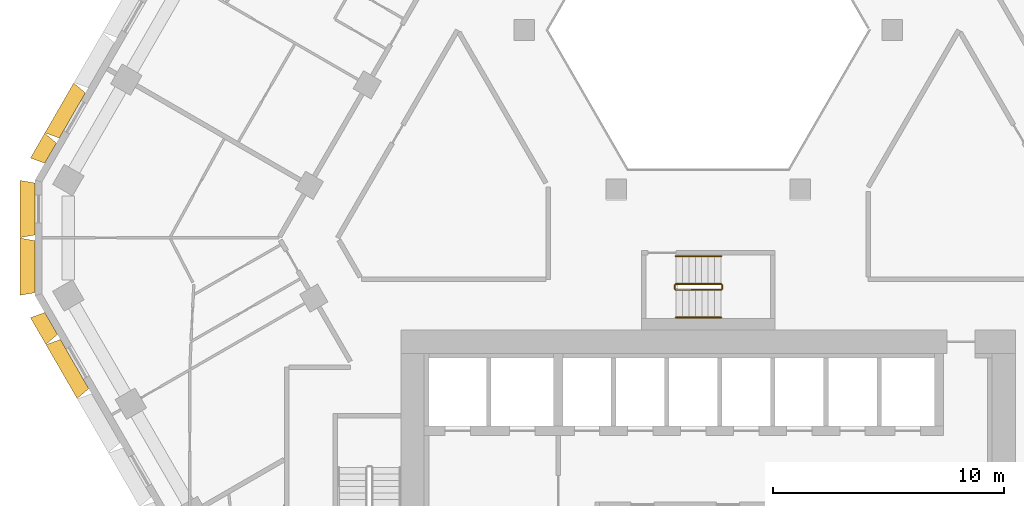
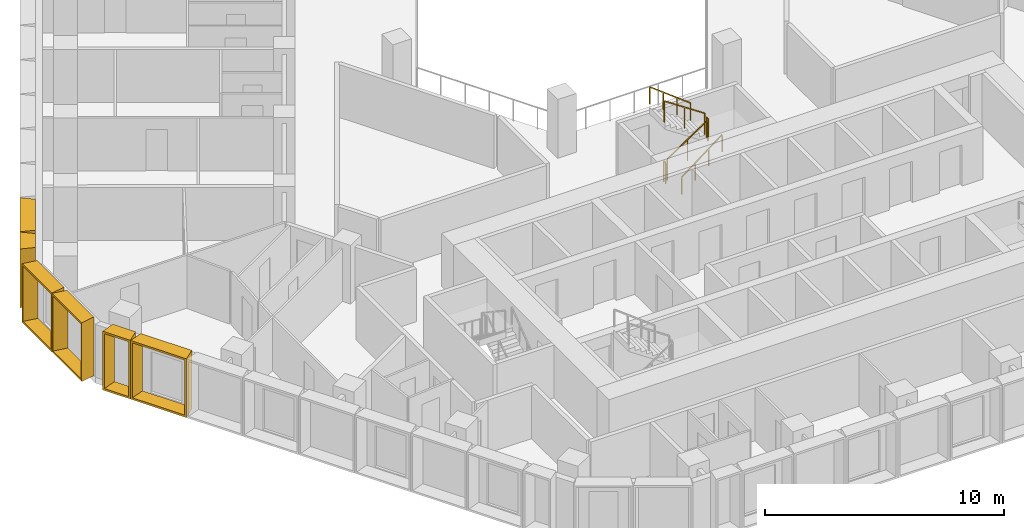
# One storey, part 13 of 15: 6 railings, 6 shading devices.
"""IFC4 building model written with IfcOpenShell, lengths in metres."""

from ifc_helpers import new_model, entity, si_unit, direction, frame, origin, origin_2d, place, context, subcontext, project, spatial, rectangle, extrude, source, transform, mapped, material, type_object, type_shapes, element, save


model = new_model("IFC4")

# Units and contexts
model_context = context("Model", 3, precision=1e-05, world=origin(), true_north=direction((0.0, 1.0)))
body_context = subcontext(model_context, "Body", "Model", "MODEL_VIEW")
ifc_project = project(units=[si_unit("LENGTHUNIT", "METRE"), si_unit("AREAUNIT", "SQUARE_METRE"), si_unit("VOLUMEUNIT", "CUBIC_METRE"), si_unit("PLANEANGLEUNIT", "RADIAN"), si_unit("MASSUNIT", "GRAM", prefix="KILO")], contexts=[model_context])

# Site, building, storey
site_placement = place(None, origin())
site = spatial("IfcSite", under=ifc_project, at=site_placement, CompositionType="ELEMENT")
building_placement = place(site_placement, origin())
building = spatial("IfcBuilding", under=site, at=building_placement, Name="Beryl Residences", CompositionType="ELEMENT")
storey_placement = place(building_placement, frame((0.0, 0.0, 102.0)))
storey = spatial("IfcBuildingStorey", under=building, at=storey_placement, Name="L31", CompositionType="ELEMENT", Elevation=102.0)

# Shading devices
ifc_material_1 = material(Name="Aluminium pale anodised", Category="aluminium")
shading_device_type_1 = type_object("IfcShadingDeviceType", Name="FR126-65A OUTER SKIN frame 650 mm deep, splay 10/10 deg, 1260 x 3000 mm cell", PredefinedType="USERDEFINED", material=ifc_material_1)
cartesian_point_1 = entity("IfcCartesianPoint", [-0.5048828125, 0.0])
cartesian_point_2 = entity("IfcCartesianPoint", [-0.423828125, 0.10009765625])
cartesian_point_3 = entity("IfcCartesianPoint", [-0.61962890625, 0.0])
cartesian_point_4 = entity("IfcCartesianPoint", [-0.538330078125, 0.10009765625])
shared_shape_1 = source(origin(), body_context, "Body", "SweptSolid", [
    entity("IfcExtrudedAreaSolidTapered", entity("IfcArbitraryProfileDefWithVoids", "AREA", None, entity("IfcPolyline", [cartesian_point_1, entity("IfcCartesianPoint", [0.5048828125, 0.0]), entity("IfcCartesianPoint", [0.5048828125, 3.0]), entity("IfcCartesianPoint", [-0.5048828125, 3.0]), cartesian_point_1]), [entity("IfcPolyline", [cartesian_point_2, entity("IfcCartesianPoint", [0.423828125, 0.10009765625]), entity("IfcCartesianPoint", [0.423828125, 2.89990234375]), entity("IfcCartesianPoint", [-0.423828125, 2.89990234375]), cartesian_point_2])]), entity("IfcAxis2Placement3D", entity("IfcCartesianPoint", [0.0, 0.0, 0.0]), entity("IfcDirection", [0.0, 1.0, 0.0]), entity("IfcDirection", [-1.0, 0.0, 0.0])), entity("IfcDirection", [0.0, 0.0, 1.0]), 0.64990234375, entity("IfcArbitraryProfileDefWithVoids", "AREA", None, entity("IfcPolyline", [cartesian_point_3, entity("IfcCartesianPoint", [0.61962890625, 0.0]), entity("IfcCartesianPoint", [0.61962890625, 3.0]), entity("IfcCartesianPoint", [-0.61962890625, 3.0]), cartesian_point_3]), [entity("IfcPolyline", [cartesian_point_4, entity("IfcCartesianPoint", [0.538330078125, 0.10009765625]), entity("IfcCartesianPoint", [0.538330078125, 2.89990234375]), entity("IfcCartesianPoint", [-0.538330078125, 2.89990234375]), cartesian_point_4])])),
])
type_shapes(shading_device_type_1, [shared_shape_1])
shading_device_1_placement = place(storey_placement, frame((-28.48193359375, 2.6689453125, 0.0), z_axis=(0.0, 0.0, 1.0), x_axis=(0.5, 0.866025403784, 0.0)))
element("IfcShadingDevice", 1, at=shading_device_1_placement, inside=storey, type_object=shading_device_type_1, Name="FR126-65A frame L31 NW 11", ObjectType="OUTER SKIN", PredefinedType="USERDEFINED", context=body_context, shape_type="MappedRepresentation", body=[
    mapped(shared_shape_1, transform((0.0, 0.0, 0.0))),
])
ifc_material_2 = material(Name="Aluminium pale anodised", Category="aluminium")
shading_device_type_2 = type_object("IfcShadingDeviceType", Name="FR135-65A OUTER SKIN frame 650 mm deep, splay 10/10 deg, 1350 x 3000 mm cell", PredefinedType="USERDEFINED", material=ifc_material_2)
cartesian_point_5 = entity("IfcCartesianPoint", [-0.550048828125, 0.0])
cartesian_point_6 = entity("IfcCartesianPoint", [-0.46875, 0.10009765625])
cartesian_point_7 = entity("IfcCartesianPoint", [-0.66455078125, 0.0])
cartesian_point_8 = entity("IfcCartesianPoint", [-0.58349609375, 0.10009765625])
shared_shape_2 = source(origin(), body_context, "Body", "SweptSolid", [
    entity("IfcExtrudedAreaSolidTapered", entity("IfcArbitraryProfileDefWithVoids", "AREA", None, entity("IfcPolyline", [cartesian_point_5, entity("IfcCartesianPoint", [0.550048828125, 0.0]), entity("IfcCartesianPoint", [0.550048828125, 3.0]), entity("IfcCartesianPoint", [-0.550048828125, 3.0]), cartesian_point_5]), [entity("IfcPolyline", [cartesian_point_6, entity("IfcCartesianPoint", [0.46875, 0.10009765625]), entity("IfcCartesianPoint", [0.46875, 2.89990234375]), entity("IfcCartesianPoint", [-0.46875, 2.89990234375]), cartesian_point_6])]), entity("IfcAxis2Placement3D", entity("IfcCartesianPoint", [0.0, 0.0, 0.0]), entity("IfcDirection", [0.0, 1.0, 0.0]), entity("IfcDirection", [-1.0, 0.0, 0.0])), entity("IfcDirection", [0.0, 0.0, 1.0]), 0.64990234375, entity("IfcArbitraryProfileDefWithVoids", "AREA", None, entity("IfcPolyline", [cartesian_point_7, entity("IfcCartesianPoint", [0.66455078125, 0.0]), entity("IfcCartesianPoint", [0.66455078125, 3.0]), entity("IfcCartesianPoint", [-0.66455078125, 3.0]), cartesian_point_7]), [entity("IfcPolyline", [cartesian_point_8, entity("IfcCartesianPoint", [0.58349609375, 0.10009765625]), entity("IfcCartesianPoint", [0.58349609375, 2.89990234375]), entity("IfcCartesianPoint", [-0.58349609375, 2.89990234375]), cartesian_point_8])])),
])
type_shapes(shading_device_type_2, [shared_shape_2])
shading_device_2_placement = place(storey_placement, frame((-28.4580078125, -4.7099609375, 0.0), z_axis=(0.0, 0.0, 1.0), x_axis=(-0.5, 0.866025403784, 0.0)))
element("IfcShadingDevice", 2, at=shading_device_2_placement, inside=storey, type_object=shading_device_type_2, Name="FR135-65A frame L31 SW 1", ObjectType="OUTER SKIN", PredefinedType="USERDEFINED", context=body_context, shape_type="MappedRepresentation", body=[
    mapped(shared_shape_2, transform((0.0, 0.0, 0.0))),
])
ifc_material_3 = material(Name="Aluminium pale anodised", Category="aluminium")
shading_device_type_3 = type_object("IfcShadingDeviceType", Name="FR250-65A OUTER SKIN frame 650 mm deep, splay 10/10 deg, 2500 x 3000 mm cell", PredefinedType="USERDEFINED", material=ifc_material_3)
cartesian_point_9 = entity("IfcCartesianPoint", [-1.125, 0.0])
cartesian_point_10 = entity("IfcCartesianPoint", [-1.043701171875, 0.10009765625])
cartesian_point_11 = entity("IfcCartesianPoint", [-1.239501953125, 0.0])
cartesian_point_12 = entity("IfcCartesianPoint", [-1.158447265625, 0.10009765625])
shared_shape_3 = source(origin(), body_context, "Body", "SweptSolid", [
    entity("IfcExtrudedAreaSolidTapered", entity("IfcArbitraryProfileDefWithVoids", "AREA", None, entity("IfcPolyline", [cartesian_point_9, entity("IfcCartesianPoint", [1.125, 0.0]), entity("IfcCartesianPoint", [1.125, 3.0]), entity("IfcCartesianPoint", [-1.125, 3.0]), cartesian_point_9]), [entity("IfcPolyline", [cartesian_point_10, entity("IfcCartesianPoint", [1.043701171875, 0.10009765625]), entity("IfcCartesianPoint", [1.043701171875, 2.89990234375]), entity("IfcCartesianPoint", [-1.043701171875, 2.89990234375]), cartesian_point_10])]), entity("IfcAxis2Placement3D", entity("IfcCartesianPoint", [0.0, 0.0, 0.0]), entity("IfcDirection", [0.0, 1.0, 0.0]), entity("IfcDirection", [-1.0, 0.0, 0.0])), entity("IfcDirection", [0.0, 0.0, 1.0]), 0.64990234375, entity("IfcArbitraryProfileDefWithVoids", "AREA", None, entity("IfcPolyline", [cartesian_point_11, entity("IfcCartesianPoint", [1.239501953125, 0.0]), entity("IfcCartesianPoint", [1.239501953125, 3.0]), entity("IfcCartesianPoint", [-1.239501953125, 3.0]), cartesian_point_11]), [entity("IfcPolyline", [cartesian_point_12, entity("IfcCartesianPoint", [1.158447265625, 0.10009765625]), entity("IfcCartesianPoint", [1.158447265625, 2.89990234375]), entity("IfcCartesianPoint", [-1.158447265625, 2.89990234375]), cartesian_point_12])])),
])
type_shapes(shading_device_type_3, [shared_shape_3])
for number, where, z_axis, x_axis, name in (
    (3, (-29.156982421875, 0.25, 0.0), (0.0, 0.0, 1.0), (0.0, 1.0, 0.0), "FR250-65A frame L31 NW-SW 1"),
    (4, (-29.156982421875, -2.25, 0.0), (0.0, 0.0, 1.0), (0.0, 1.0, 0.0), "FR250-65A frame L31 NW-SW 2"),
):
    element("IfcShadingDevice", number, at=place(storey_placement, frame(where, z_axis=z_axis, x_axis=x_axis)), inside=storey, type_object=shading_device_type_3, Name=name, ObjectType="OUTER SKIN", PredefinedType="USERDEFINED", context=body_context, shape_type="MappedRepresentation", body=[
        mapped(shared_shape_3, transform((0.0, 0.0, 0.0))),
    ])
ifc_material_4 = material(Name="Aluminium pale anodised", Category="aluminium")
shading_device_type_4 = type_object("IfcShadingDeviceType", Name="FR251-65A OUTER SKIN frame 650 mm deep, splay 10/10 deg, 2510 x 3000 mm cell", PredefinedType="USERDEFINED", material=ifc_material_4)
cartesian_point_13 = entity("IfcCartesianPoint", [-1.1298828125, 0.0])
cartesian_point_14 = entity("IfcCartesianPoint", [-1.048828125, 0.10009765625])
cartesian_point_15 = entity("IfcCartesianPoint", [-1.24462890625, 0.0])
cartesian_point_16 = entity("IfcCartesianPoint", [-1.163330078125, 0.10009765625])
shared_shape_4 = source(origin(), body_context, "Body", "SweptSolid", [
    entity("IfcExtrudedAreaSolidTapered", entity("IfcArbitraryProfileDefWithVoids", "AREA", None, entity("IfcPolyline", [cartesian_point_13, entity("IfcCartesianPoint", [1.1298828125, 0.0]), entity("IfcCartesianPoint", [1.1298828125, 3.0]), entity("IfcCartesianPoint", [-1.1298828125, 3.0]), cartesian_point_13]), [entity("IfcPolyline", [cartesian_point_14, entity("IfcCartesianPoint", [1.048828125, 0.10009765625]), entity("IfcCartesianPoint", [1.048828125, 2.89990234375]), entity("IfcCartesianPoint", [-1.048828125, 2.89990234375]), cartesian_point_14])]), entity("IfcAxis2Placement3D", entity("IfcCartesianPoint", [0.0, 0.0, 0.0]), entity("IfcDirection", [0.0, 1.0, 0.0]), entity("IfcDirection", [-1.0, 0.0, 0.0])), entity("IfcDirection", [0.0, 0.0, 1.0]), 0.64990234375, entity("IfcArbitraryProfileDefWithVoids", "AREA", None, entity("IfcPolyline", [cartesian_point_15, entity("IfcCartesianPoint", [1.24462890625, 0.0]), entity("IfcCartesianPoint", [1.24462890625, 3.0]), entity("IfcCartesianPoint", [-1.24462890625, 3.0]), cartesian_point_15]), [entity("IfcPolyline", [cartesian_point_16, entity("IfcCartesianPoint", [1.163330078125, 0.10009765625]), entity("IfcCartesianPoint", [1.163330078125, 2.89990234375]), entity("IfcCartesianPoint", [-1.163330078125, 2.89990234375]), cartesian_point_16])])),
])
type_shapes(shading_device_type_4, [shared_shape_4])
shading_device_3_placement = place(storey_placement, frame((-27.5400390625, 4.300048828125, 0.0), z_axis=(0.0, 0.0, 1.0), x_axis=(0.5, 0.866025403784, 0.0)))
element("IfcShadingDevice", 5, at=shading_device_3_placement, inside=storey, type_object=shading_device_type_4, Name="FR251-65A frame L31 NW 10", ObjectType="OUTER SKIN", PredefinedType="USERDEFINED", context=body_context, shape_type="MappedRepresentation", body=[
    mapped(shared_shape_4, transform((0.0, 0.0, 0.0))),
])
ifc_material_5 = material(Name="Aluminium pale anodised", Category="aluminium")
shading_device_type_5 = type_object("IfcShadingDeviceType", Name="FR271-65A OUTER SKIN frame 650 mm deep, splay 10/10 deg, 2710 x 3000 mm cell", PredefinedType="USERDEFINED", material=ifc_material_5)
cartesian_point_17 = entity("IfcCartesianPoint", [-1.22998046875, 0.0])
cartesian_point_18 = entity("IfcCartesianPoint", [-1.148681640625, 0.10009765625])
cartesian_point_19 = entity("IfcCartesianPoint", [-1.3447265625, 0.0])
cartesian_point_20 = entity("IfcCartesianPoint", [-1.263427734375, 0.10009765625])
shared_shape_5 = source(origin(), body_context, "Body", "SweptSolid", [
    entity("IfcExtrudedAreaSolidTapered", entity("IfcArbitraryProfileDefWithVoids", "AREA", None, entity("IfcPolyline", [cartesian_point_17, entity("IfcCartesianPoint", [1.22998046875, 0.0]), entity("IfcCartesianPoint", [1.22998046875, 3.0]), entity("IfcCartesianPoint", [-1.22998046875, 3.0]), cartesian_point_17]), [entity("IfcPolyline", [cartesian_point_18, entity("IfcCartesianPoint", [1.148681640625, 0.10009765625]), entity("IfcCartesianPoint", [1.148681640625, 2.89990234375]), entity("IfcCartesianPoint", [-1.148681640625, 2.89990234375]), cartesian_point_18])]), entity("IfcAxis2Placement3D", entity("IfcCartesianPoint", [0.0, 0.0, 0.0]), entity("IfcDirection", [0.0, 1.0, 0.0]), entity("IfcDirection", [-1.0, 0.0, 0.0])), entity("IfcDirection", [0.0, 0.0, 1.0]), 0.64990234375, entity("IfcArbitraryProfileDefWithVoids", "AREA", None, entity("IfcPolyline", [cartesian_point_19, entity("IfcCartesianPoint", [1.3447265625, 0.0]), entity("IfcCartesianPoint", [1.3447265625, 3.0]), entity("IfcCartesianPoint", [-1.3447265625, 3.0]), cartesian_point_19]), [entity("IfcPolyline", [cartesian_point_20, entity("IfcCartesianPoint", [1.263427734375, 0.10009765625]), entity("IfcCartesianPoint", [1.263427734375, 2.89990234375]), entity("IfcCartesianPoint", [-1.263427734375, 2.89990234375]), cartesian_point_20])])),
])
type_shapes(shading_device_type_5, [shared_shape_5])
shading_device_4_placement = place(storey_placement, frame((-27.443115234375, -6.468017578125, 0.0), z_axis=(0.0, 0.0, 1.0), x_axis=(-0.5, 0.866025403784, 0.0)))
element("IfcShadingDevice", 6, at=shading_device_4_placement, inside=storey, type_object=shading_device_type_5, Name="FR271-65A frame L31 SW 2", ObjectType="OUTER SKIN", PredefinedType="USERDEFINED", context=body_context, shape_type="MappedRepresentation", body=[
    mapped(shared_shape_5, transform((0.0, 0.0, 0.0))),
])

# Railings
ifc_material_6 = material(Name="Stainless steel balustrade with glass infill", Category="steel")
railing_type_1 = type_object("IfcRailingType", Name="SG1 stair guard 1100 mm", PredefinedType="GUARDRAIL", material=ifc_material_6)
railing_1_placement = place(storey_placement, frame((-1.39990234375, -3.25, 0.1875)))
element("IfcRailing", 7, at=railing_1_placement, inside=storey, type_object=railing_type_1, Name="L31 ST-4 stair guard 1", PredefinedType="GUARDRAIL", context=body_context, shape_type="SweptSolid", body=[
    extrude(rectangle(XDim=0.048095703125, YDim=0.048095703125, at=origin_2d()), frame((0.0, 0.0, 1.076171875), z_axis=(0.830902050051, 0.0, 0.556418712142), x_axis=(0.0, 1.0, 0.0)), (0.0, 0.0, 1.0), 2.35888671875),
    extrude(rectangle(XDim=0.0419921875, YDim=0.0419921875, at=origin_2d()), origin(), (0.0, 0.0, 1.0), 1.052001953125),
    extrude(rectangle(XDim=0.0419921875, YDim=0.0419921875, at=origin_2d()), frame((0.97998046875, 0.0, 0.65625)), (0.0, 0.0, 1.0), 1.052001953125),
    extrude(rectangle(XDim=0.0419921875, YDim=0.0419921875, at=origin_2d()), frame((1.9599609375, 0.0, 1.3125)), (0.0, 0.0, 1.0), 1.052001953125),
])
railing_2_placement = place(storey_placement, frame((0.610107421875, -3.199951171875, 1.5)))
element("IfcRailing", 8, at=railing_2_placement, inside=storey, type_object=railing_type_1, Name="L31 ST-4 stair guard 2", PredefinedType="GUARDRAIL", context=body_context, shape_type="SweptSolid", body=[
    extrude(rectangle(XDim=0.048095703125, YDim=0.048095703125, at=origin_2d()), frame((0.0, 0.0, 1.076171875), z_axis=(0.0, 1.0, 0.0), x_axis=(-1.0, 0.0, 0.0)), (0.0, 0.0, 1.0), 0.14990234375),
    extrude(rectangle(XDim=0.0419921875, YDim=0.0419921875, at=origin_2d()), origin(), (0.0, 0.0, 1.0), 1.052001953125),
    extrude(rectangle(XDim=0.0419921875, YDim=0.0419921875, at=origin_2d()), frame((0.0, 0.14990234375, 0.0)), (0.0, 0.0, 1.0), 1.052001953125),
])
railing_3_placement = place(storey_placement, frame((0.56005859375, -3.0, 1.6875)))
element("IfcRailing", 9, at=railing_3_placement, inside=storey, type_object=railing_type_1, Name="L31 ST-4 stair guard 3", PredefinedType="GUARDRAIL", context=body_context, shape_type="SweptSolid", body=[
    extrude(rectangle(XDim=0.048095703125, YDim=0.048095703125, at=origin_2d()), frame((0.0, 0.0, 1.076171875), z_axis=(-0.830902050051, 0.0, 0.556418712142), x_axis=(0.0, -1.0, 0.0)), (0.0, 0.0, 1.0), 2.35888671875),
    extrude(rectangle(XDim=0.0419921875, YDim=0.0419921875, at=origin_2d()), origin(), (0.0, 0.0, 1.0), 1.052001953125),
    extrude(rectangle(XDim=0.0419921875, YDim=0.0419921875, at=origin_2d()), frame((-0.97998046875, 0.0, 0.65625)), (0.0, 0.0, 1.0), 1.052001953125),
    extrude(rectangle(XDim=0.0419921875, YDim=0.0419921875, at=origin_2d()), frame((-1.9599609375, 0.0, 1.3125)), (0.0, 0.0, 1.0), 1.052001953125),
])
railing_4_placement = place(storey_placement, frame((-1.449951171875, -3.199951171875, 0.0)))
element("IfcRailing", 10, at=railing_4_placement, inside=storey, type_object=railing_type_1, Name="L31 ST-4 stair guard 4", PredefinedType="GUARDRAIL", context=body_context, shape_type="SweptSolid", body=[
    extrude(rectangle(XDim=0.048095703125, YDim=0.048095703125, at=origin_2d()), frame((0.0, 0.0, 1.076171875), z_axis=(0.0, 1.0, 0.0), x_axis=(-1.0, 0.0, 0.0)), (0.0, 0.0, 1.0), 0.14990234375),
    extrude(rectangle(XDim=0.0419921875, YDim=0.0419921875, at=origin_2d()), origin(), (0.0, 0.0, 1.0), 1.052001953125),
    extrude(rectangle(XDim=0.0419921875, YDim=0.0419921875, at=origin_2d()), frame((0.0, 0.14990234375, 0.0)), (0.0, 0.0, 1.0), 1.052001953125),
])
ifc_material_7 = material(Name="Stainless steel handrail", Category="steel")
railing_type_2 = type_object("IfcRailingType", Name="SRL1 stair handrail 900 mm", PredefinedType="HANDRAIL", material=ifc_material_7)
railing_5_placement = place(storey_placement, frame((-1.39990234375, -4.449951171875, 0.1875)))
element("IfcRailing", 11, at=railing_5_placement, inside=storey, type_object=railing_type_2, Name="L31 ST-4 stair handrail 1", PredefinedType="HANDRAIL", context=body_context, shape_type="SweptSolid", body=[
    extrude(rectangle(XDim=0.048095703125, YDim=0.048095703125, at=origin_2d()), frame((0.0, 0.0, 0.8759765625), z_axis=(0.794121922505, 0.0, 0.607758481798), x_axis=(0.0, 1.0, 0.0)), (0.0, 0.0, 1.0), 2.468017578125),
    extrude(rectangle(XDim=0.0419921875, YDim=0.0419921875, at=origin_2d()), origin(), (0.0, 0.0, 1.0), 0.851806640625),
    extrude(rectangle(XDim=0.0419921875, YDim=0.0419921875, at=origin_2d()), frame((0.6533203125, 0.0, 0.5)), (0.0, 0.0, 1.0), 0.851806640625),
    extrude(rectangle(XDim=0.0419921875, YDim=0.0419921875, at=origin_2d()), frame((1.306640625, 0.0, 1.0)), (0.0, 0.0, 1.0), 0.851806640625),
    extrude(rectangle(XDim=0.0419921875, YDim=0.0419921875, at=origin_2d()), frame((1.9599609375, 0.0, 1.5)), (0.0, 0.0, 1.0), 0.851806640625),
])
railing_6_placement = place(storey_placement, frame((0.56005859375, -1.800048828125, 1.6875)))
element("IfcRailing", 12, at=railing_6_placement, inside=storey, type_object=railing_type_2, Name="L31 ST-4 stair handrail 2", PredefinedType="HANDRAIL", context=body_context, shape_type="SweptSolid", body=[
    extrude(rectangle(XDim=0.048095703125, YDim=0.048095703125, at=origin_2d()), frame((0.0, 0.0, 0.8759765625), z_axis=(-0.794121922505, 0.0, 0.607758481798), x_axis=(0.0, -1.0, 0.0)), (0.0, 0.0, 1.0), 2.468017578125),
    extrude(rectangle(XDim=0.0419921875, YDim=0.0419921875, at=origin_2d()), origin(), (0.0, 0.0, 1.0), 0.851806640625),
    extrude(rectangle(XDim=0.0419921875, YDim=0.0419921875, at=origin_2d()), frame((-0.6533203125, 0.0, 0.5)), (0.0, 0.0, 1.0), 0.851806640625),
    extrude(rectangle(XDim=0.0419921875, YDim=0.0419921875, at=origin_2d()), frame((-1.306640625, 0.0, 1.0)), (0.0, 0.0, 1.0), 0.851806640625),
    extrude(rectangle(XDim=0.0419921875, YDim=0.0419921875, at=origin_2d()), frame((-1.9599609375, 0.0, 1.5)), (0.0, 0.0, 1.0), 0.851806640625),
])

save(model, "model.ifc")
